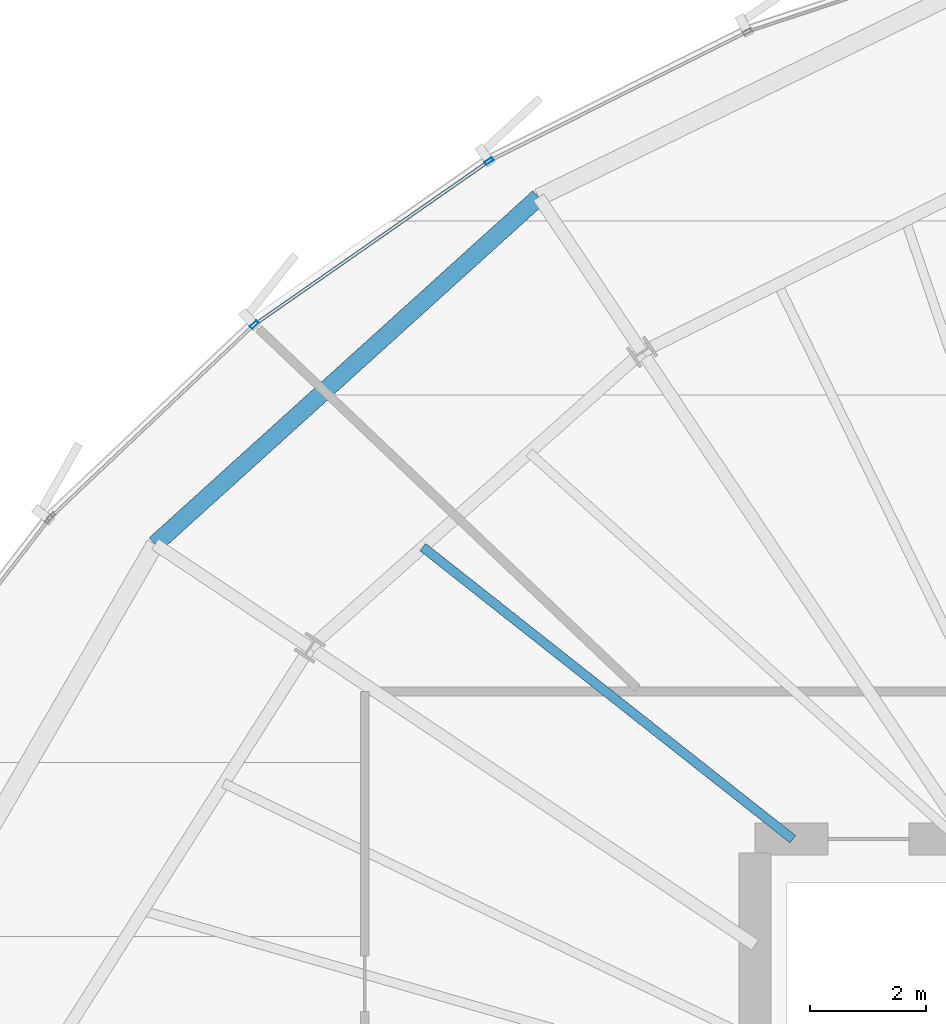
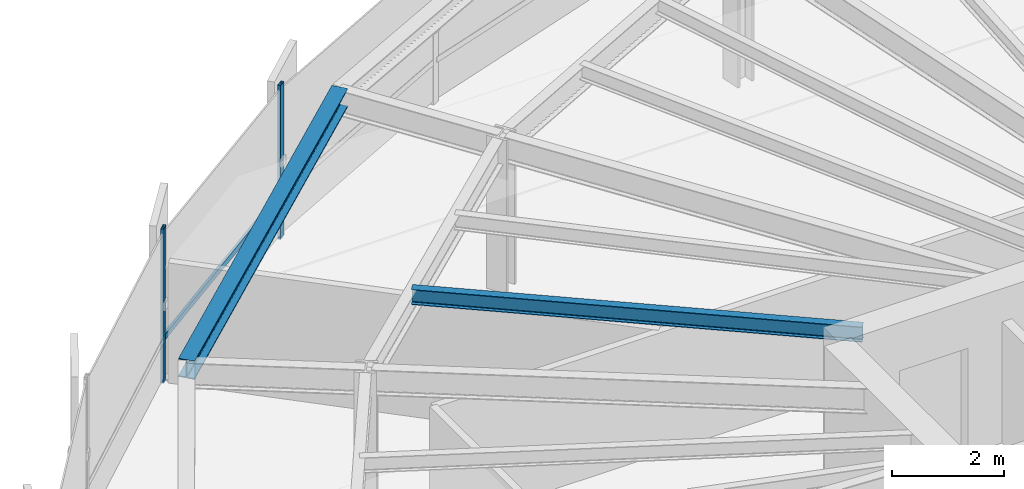
# One storey, part 19 of 34: 3 members, 2 beams, 1 element without a shape of its own.
"""IFC4 building model written with IfcOpenShell, lengths in metres."""

from ifc_helpers import new_model, si_unit, direction, frame, origin, origin_2d, place, context, subcontext, project, spatial, hollow_rectangle, i_section, extrude, source, transform, mapped, material, layer, layer_set, material_profile, profile_set, type_object, element, aggregate, save


model = new_model("IFC4")

# Units and contexts
model_context = context("Model", 3, precision=1e-05, world=origin(), true_north=direction((0.0, 1.0)))
body_context = subcontext(model_context, "Body", "Model", "MODEL_VIEW")
ifc_project = project(units=[si_unit("LENGTHUNIT", "METRE"), si_unit("AREAUNIT", "SQUARE_METRE"), si_unit("VOLUMEUNIT", "CUBIC_METRE"), si_unit("PLANEANGLEUNIT", "RADIAN"), si_unit("MASSUNIT", "GRAM", prefix="KILO"), si_unit("THERMODYNAMICTEMPERATUREUNIT", "KELVIN")], contexts=[model_context])

# Site, building, storey
site_placement = place(None, origin())
site = spatial("IfcSite", under=ifc_project, at=site_placement, CompositionType="ELEMENT")
building_placement = place(site_placement, origin())
building = spatial("IfcBuilding", under=site, at=building_placement, Name="Kethvar Cultural Tower", CompositionType="ELEMENT")
storey_placement = place(building_placement, frame((0.0, 0.0, 125.199951171875)))
storey = spatial("IfcBuildingStorey", under=building, at=storey_placement, Name="L31", CompositionType="ELEMENT", Elevation=125.199951171875)

# Beams
ifc_material_1 = material(Name="Steel S355J2", Category="steel")
ifc_material_profile_1 = material_profile(ifc_material_1, i_section(OverallWidth=0.159912109375, OverallDepth=0.330078125, WebThickness=0.007568359375, FlangeThickness=0.011474609375, FilletRadius=0.01806640625, at=origin_2d()), Name="Steel S355J2 — IPE330")
ifc_profile_set_1 = profile_set([ifc_material_profile_1], Name="Steel S355J2 — IPE330")
beam_type_1 = type_object("IfcBeamType", Name="BM-J330", PredefinedType="JOIST", material=ifc_profile_set_1)
shared_shape_1 = source(origin(), body_context, "Body", "SweptSolid", [
    extrude(i_section(OverallWidth=0.159912109375, OverallDepth=0.330078125, WebThickness=0.007568359375, FlangeThickness=0.011474609375, FilletRadius=0.01806640625, at=origin_2d()), origin(), (0.0, 0.0, 1.0), 8.105712890625),
])
beam_1_placement = place(storey_placement, frame((38.64990234375, 35.5, 3.18310546875), z_axis=(-0.784895872164, 0.619627686486, 0.0), x_axis=(-0.619627686486, -0.784895872164, 0.0)))
element("IfcBeam", 1, at=beam_1_placement, inside=storey, type_object=beam_type_1, Name="L31 Composite Floor Joist J-06B", PredefinedType="JOIST", context=body_context, shape_type="MappedRepresentation", body=[
    mapped(shared_shape_1, transform((0.0, 0.0, 0.0), scale=1.0)),
])
ifc_material_profile_2 = material_profile(ifc_material_1, i_section(OverallWidth=0.300048828125, OverallDepth=0.39990234375, WebThickness=0.013427734375, FlangeThickness=0.02392578125, FilletRadius=0.027099609375, at=origin_2d()), Name="Steel S355J2 — HEB400")
ifc_profile_set_2 = profile_set([ifc_material_profile_2], Name="Steel S355J2 — HEB400")
beam_type_2 = type_object("IfcBeamType", Name="BM-SP400", PredefinedType="SPANDREL", material=ifc_profile_set_2)
shared_shape_2 = source(origin(), body_context, "Body", "SweptSolid", [
    extrude(i_section(OverallWidth=0.300048828125, OverallDepth=0.39990234375, WebThickness=0.013427734375, FlangeThickness=0.02392578125, FilletRadius=0.027099609375, at=origin_2d()), origin(), (0.0, 0.0, 1.0), 8.892822265625),
])
beam_2_placement = place(storey_placement, frame((34.27978515625, 46.5380859375, 3.14794921875), z_axis=(-0.741556591679, -0.670890319901, 0.0), x_axis=(0.670890319901, -0.741556591679, 0.0)))
element("IfcBeam", 2, at=beam_2_placement, inside=storey, type_object=beam_type_2, Name="L31 Perimeter Spandrel Beam SP-06", PredefinedType="SPANDREL", context=body_context, shape_type="MappedRepresentation", body=[
    mapped(shared_shape_2, transform((0.0, 0.0, 0.0), scale=1.0)),
])

# Curtain wall, members
ifc_material_2 = material(Name="Aluminium 6063-T6", Category="aluminium")
ifc_layer = layer(ifc_material_2, 0.179931640625, Name="Aluminium 6063-T6", Category="aluminium")
ifc_layer_set = layer_set([ifc_layer], Name="Aluminium 6063-T6 (180 mm)")
curtain_wall_type = type_object("IfcCurtainWallType", Name="CW-SYS-03-Z2", PredefinedType="NOTDEFINED", material=ifc_layer_set)
curtain_wall_placement = place(storey_placement, origin())
curtain_wall = element("IfcCurtainWall", 3, at=curtain_wall_placement, inside=storey, type_object=curtain_wall_type, Name="L31 Curtain Wall Run 02", PredefinedType="NOTDEFINED")
ifc_material_profile_3 = material_profile(ifc_material_2, hollow_rectangle(XDim=0.06005859375, YDim=0.14990234375, WallThickness=0.0048828125, at=origin_2d()), Name="Aluminium 6063-T6 — RHS150x60x5")
ifc_profile_set_3 = profile_set([ifc_material_profile_3], Name="Aluminium 6063-T6 — RHS150x60x5")
member_type_1 = type_object("IfcMemberType", Name="CW-SYS-03-Z2-MUL", PredefinedType="MULLION", material=ifc_profile_set_3)
shared_shape_3 = source(origin(), body_context, "Body", "SweptSolid", [
    extrude(hollow_rectangle(XDim=0.06005859375, YDim=0.14990234375, WallThickness=0.0048828125, at=origin_2d()), origin(), (0.0, 0.0, 1.0), 3.35009765625),
])
member_1_placement = place(storey_placement, frame((33.42578125, 47.159912109375, 0.0), z_axis=(0.0, 0.0, 1.0), x_axis=(0.572002721226, -0.820251721675, 0.0)))
member_1 = element("IfcMember", 4, at=member_1_placement, type_object=member_type_1, Name="CW-L31-R02 Mullion 5", PredefinedType="MULLION", context=body_context, shape_type="MappedRepresentation", body=[
    mapped(shared_shape_3, transform((0.0, 0.0, 0.0), scale=1.0)),
])
member_2_placement = place(storey_placement, frame((29.39013671875, 44.34716796875, 0.0), z_axis=(0.0, 0.0, 1.0), x_axis=(0.687328414307, -0.726346784179, 0.0)))
member_2 = element("IfcMember", 5, at=member_2_placement, type_object=member_type_1, Name="CW-L31-R02 Mullion 6", PredefinedType="MULLION", context=body_context, shape_type="MappedRepresentation", body=[
    mapped(shared_shape_3, transform((0.0, 0.0, 0.0), scale=1.0)),
])
ifc_material_profile_4 = material_profile(ifc_material_2, hollow_rectangle(XDim=0.054931640625, YDim=0.1201171875, WallThickness=0.00390625, at=origin_2d()), Name="Aluminium 6063-T6 — RHS120x55x4")
ifc_profile_set_4 = profile_set([ifc_material_profile_4], Name="Aluminium 6063-T6 — RHS120x55x4")
member_type_2 = type_object("IfcMemberType", Name="CW-SYS-03-Z2-TRN", PredefinedType="USERDEFINED", material=ifc_profile_set_4)
shared_shape_4 = source(origin(), body_context, "Body", "SweptSolid", [
    extrude(hollow_rectangle(XDim=0.054931640625, YDim=0.1201171875, WallThickness=0.00390625, at=origin_2d()), origin(), (0.0, 0.0, 1.0), 4.849609375),
])
member_3_placement = place(storey_placement, frame((33.390380859375, 47.135009765625, 0.949951171875), z_axis=(-0.820266472727, -0.57198156764, 0.0), x_axis=(0.57198156764, -0.820266472727, 0.0)))
member_3 = element("IfcMember", 6, at=member_3_placement, type_object=member_type_2, Name="CW-L31-R02 Transom 5", ObjectType="TRANSOM", PredefinedType="USERDEFINED", context=body_context, shape_type="MappedRepresentation", body=[
    mapped(shared_shape_4, transform((0.0, 0.0, 0.0), scale=1.0)),
])
aggregate(curtain_wall, [member_1, member_2, member_3])

save(model, "model.ifc")
